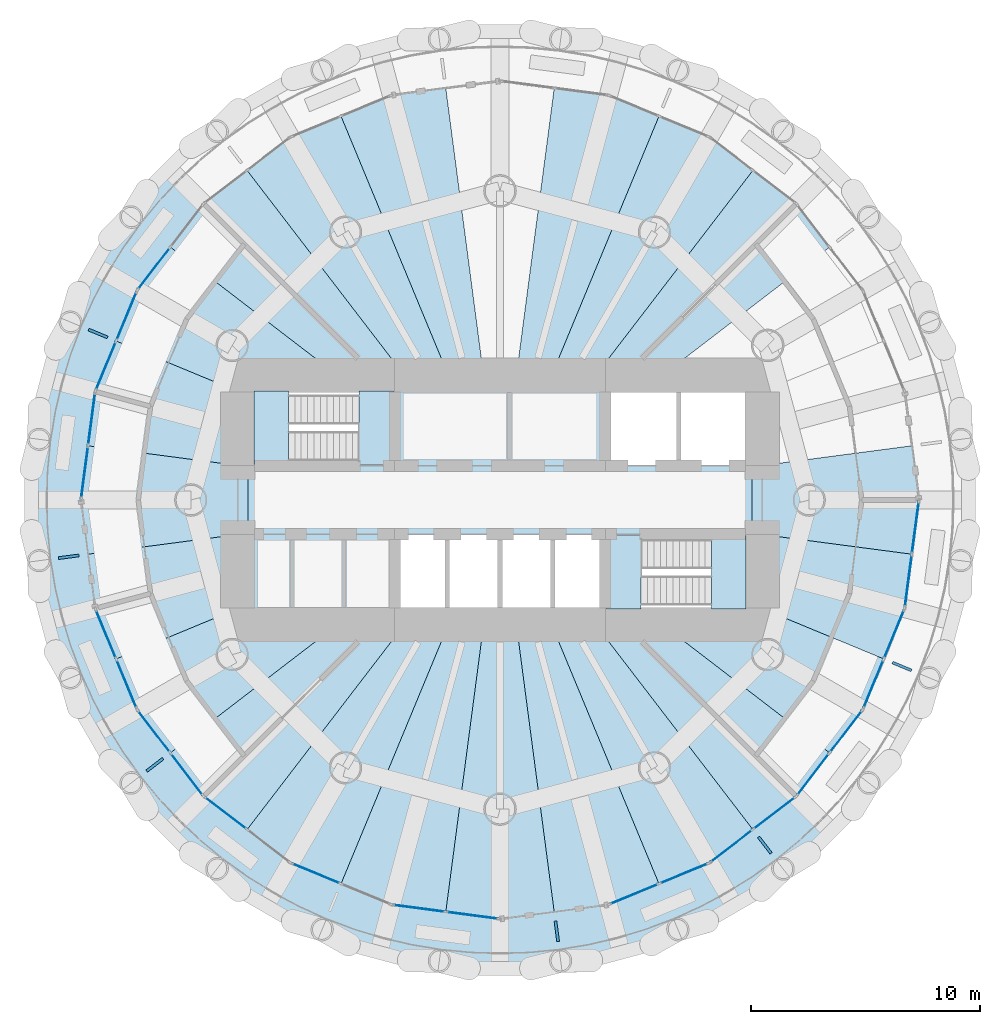
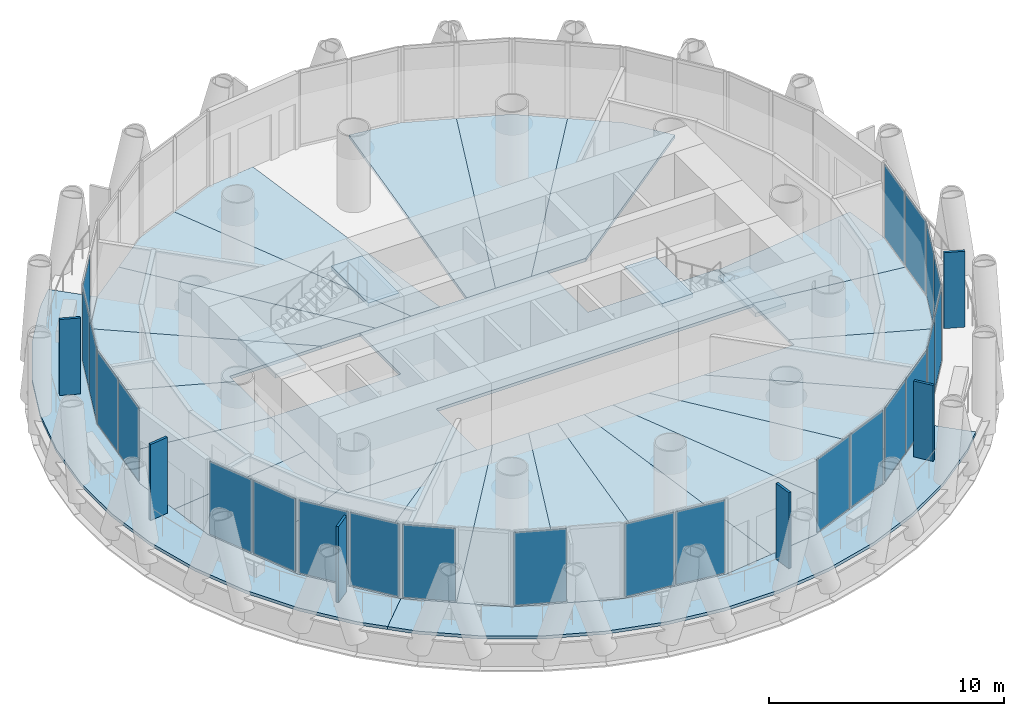
# One storey, part 7 of 13: 29 plates, 28 slabs, 15 elements without a shape of their own.
"""IFC4 building model written with IfcOpenShell, lengths in metres."""

from ifc_helpers import new_model, si_unit, direction, frame, origin, origin_2d, place, context, subcontext, project, spatial, polyline, rectangle, outline, extrude, material, layer, layer_set, type_object, element, aggregate, save


model = new_model("IFC4")

# Units and contexts
model_context = context("Model", 3, precision=1e-05, world=origin(), true_north=direction((0.0, 1.0)))
body_context = subcontext(model_context, "Body", "Model", "MODEL_VIEW")
ifc_project = project(units=[si_unit("LENGTHUNIT", "METRE"), si_unit("AREAUNIT", "SQUARE_METRE"), si_unit("VOLUMEUNIT", "CUBIC_METRE"), si_unit("PLANEANGLEUNIT", "RADIAN"), si_unit("MASSUNIT", "GRAM", prefix="KILO")], contexts=[model_context])

# Site, building, storey
site_placement = place(None, origin())
site = spatial("IfcSite", under=ifc_project, at=site_placement, CompositionType="ELEMENT")
building_placement = place(site_placement, origin())
building = spatial("IfcBuilding", under=site, at=building_placement, Name="Qaws Media Tower", CompositionType="ELEMENT")
storey_placement = place(building_placement, frame((0.0, 0.0, 282.199951171875)))
storey = spatial("IfcBuildingStorey", under=building, at=storey_placement, Name="L65", CompositionType="ELEMENT", Elevation=282.199951171875)

# Slabs
ifc_material_1 = material(Name="Concrete C35/45", Category="concrete")
ifc_layer_1 = layer(ifc_material_1, 0.159912109375)
ifc_layer_set_1 = layer_set([ifc_layer_1], Name="Composite balcony slab 160")
slab_type_1 = type_object("IfcSlabType", Name="Composite balcony slab 160", PredefinedType="FLOOR", material=ifc_layer_set_1)
slab_1_placement = place(storey_placement, frame((0.0, 0.0, -0.159912109375)))
element("IfcSlab", 1, at=slab_1_placement, inside=storey, type_object=slab_type_1, Name="S2 balcony slab L65 R10 to R16, movement joints on R10 and R16", PredefinedType="FLOOR", context=body_context, shape_type="SweptSolid", body=[
    extrude(outline(polyline([(44.58740234375, 36.4833984375), (42.954833984375, 38.61083984375), (41.614013671875, 40.93310546875), (40.587890625, 43.410400390625), (39.893798828125, 46.00048828125), (39.5439453125, 48.6591796875), (39.5439453125, 51.3408203125), (39.893798828125, 53.99951171875), (40.587890625, 56.589599609375), (41.614013671875, 59.06689453125), (42.954833984375, 61.38916015625), (44.58740234375, 63.5166015625), (45.535400390625, 64.464599609375), (47.059814453125, 62.940185546875), (44.151611328125, 59.14990234375), (42.323486328125, 54.736328125), (41.699951171875, 50.0), (42.323486328125, 45.263671875), (44.151611328125, 40.85009765625), (47.059814453125, 37.059814453125), (45.535400390625, 35.535400390625), (44.58740234375, 36.4833984375)])), origin(), (0.0, 0.0, 1.0), 0.159912109375),
])
slab_2_placement = place(storey_placement, frame((0.0, 0.0, -0.159912109375)))
element("IfcSlab", 2, at=slab_2_placement, inside=storey, type_object=slab_type_1, Name="S2 balcony slab L65 R16 to R22, movement joints on R16 and R22", PredefinedType="FLOOR", context=body_context, shape_type="SweptSolid", body=[
    extrude(outline(polyline([(73.5166015625, 34.58740234375), (71.38916015625, 32.954833984375), (69.06689453125, 31.614013671875), (66.589599609375, 30.587890625), (63.99951171875, 29.893798828125), (61.3408203125, 29.5439453125), (58.6591796875, 29.5439453125), (56.00048828125, 29.893798828125), (53.410400390625, 30.587890625), (50.93310546875, 31.614013671875), (48.61083984375, 32.954833984375), (46.4833984375, 34.58740234375), (45.535400390625, 35.535400390625), (47.059814453125, 37.059814453125), (50.85009765625, 34.151611328125), (55.263671875, 32.323486328125), (60.0, 31.699951171875), (64.736328125, 32.323486328125), (69.14990234375, 34.151611328125), (72.940185546875, 37.059814453125), (74.464599609375, 35.535400390625), (73.5166015625, 34.58740234375)])), origin(), (0.0, 0.0, 1.0), 0.159912109375),
])
ifc_material_2 = material(Name="Concrete C35/45", Category="concrete")
ifc_layer_2 = layer(ifc_material_2, 0.159912109375)
ifc_layer_set_2 = layer_set([ifc_layer_2], Name="Composite floor slab 160")
slab_type_2 = type_object("IfcSlabType", Name="Composite floor slab 160", PredefinedType="FLOOR", material=ifc_layer_set_2)
slab_3_placement = place(storey_placement, frame((0.0, 0.0, -0.159912109375)))
element("IfcSlab", 3, at=slab_3_placement, inside=storey, type_object=slab_type_2, Name="S1 core floor slab L65", PredefinedType="FLOOR", context=body_context, shape_type="SweptSolid", body=[
    extrude(outline(polyline([(71.0, 51.5), (71.0, 48.5), (55.39990234375, 48.5), (55.39990234375, 45.0), (49.0, 45.0), (49.0, 51.5), (55.39990234375, 51.5), (55.39990234375, 55.0), (64.60009765625, 55.0), (64.60009765625, 51.5), (71.0, 51.5)])), origin(), (0.0, 0.0, 1.0), 0.159912109375),
])
slab_4_placement = place(storey_placement, frame((0.0, 0.0, -0.159912109375)))
element("IfcSlab", 4, at=slab_4_placement, inside=storey, type_object=slab_type_2, Name="S1 floor panel L65 on R01", PredefinedType="FLOOR", context=body_context, shape_type="SweptSolid", body=[
    extrude(outline(polyline([(78.300048828125, 50.0), (77.98828125, 47.6318359375), (71.0, 48.5517578125), (71.0, 51.4482421875), (77.98828125, 52.3681640625), (78.300048828125, 50.0)])), origin(), (0.0, 0.0, 1.0), 0.159912109375),
])
slab_5_placement = place(storey_placement, frame((0.0, 0.0, -0.159912109375)))
element("IfcSlab", 5, at=slab_5_placement, inside=storey, type_object=slab_type_2, Name="S1 floor panel L65 on R04", PredefinedType="FLOOR", context=body_context, shape_type="SweptSolid", body=[
    extrude(outline(polyline([(72.940185546875, 62.940185546875), (74.394287109375, 61.044921875), (66.51611328125, 55.0), (63.836669921875, 55.0), (71.044921875, 64.394287109375), (72.940185546875, 62.940185546875)])), origin(), (0.0, 0.0, 1.0), 0.159912109375),
])
slab_6_placement = place(storey_placement, frame((0.0, 0.0, -0.159912109375)))
element("IfcSlab", 6, at=slab_6_placement, inside=storey, type_object=slab_type_2, Name="S1 floor panel L65 on R05", PredefinedType="FLOOR", context=body_context, shape_type="SweptSolid", body=[
    extrude(outline(polyline([(69.14990234375, 65.848388671875), (71.044921875, 64.394287109375), (63.836669921875, 55.0), (62.071044921875, 55.0), (66.943115234375, 66.762451171875), (69.14990234375, 65.848388671875)])), origin(), (0.0, 0.0, 1.0), 0.159912109375),
])
slab_7_placement = place(storey_placement, frame((0.0, 0.0, -0.159912109375)))
element("IfcSlab", 7, at=slab_7_placement, inside=storey, type_object=slab_type_2, Name="S1 floor panel L65 on R06", PredefinedType="FLOOR", context=body_context, shape_type="SweptSolid", body=[
    extrude(outline(polyline([(64.736328125, 67.676513671875), (66.943115234375, 66.762451171875), (62.071044921875, 55.0), (60.658203125, 55.0), (62.3681640625, 67.98828125), (64.736328125, 67.676513671875)])), origin(), (0.0, 0.0, 1.0), 0.159912109375),
])
slab_8_placement = place(storey_placement, frame((0.0, 0.0, -0.159912109375)))
element("IfcSlab", 8, at=slab_8_placement, inside=storey, type_object=slab_type_2, Name="S1 floor panel L65 on R08", PredefinedType="FLOOR", context=body_context, shape_type="SweptSolid", body=[
    extrude(outline(polyline([(55.263671875, 67.676513671875), (57.6318359375, 67.98828125), (59.341796875, 55.0), (57.928955078125, 55.0), (53.056884765625, 66.762451171875), (55.263671875, 67.676513671875)])), origin(), (0.0, 0.0, 1.0), 0.159912109375),
])
slab_9_placement = place(storey_placement, frame((0.0, 0.0, -0.159912109375)))
element("IfcSlab", 9, at=slab_9_placement, inside=storey, type_object=slab_type_2, Name="S1 floor panel L65 on R09", PredefinedType="FLOOR", context=body_context, shape_type="SweptSolid", body=[
    extrude(outline(polyline([(50.85009765625, 65.848388671875), (53.056884765625, 66.762451171875), (57.928955078125, 55.0), (56.163330078125, 55.0), (48.955078125, 64.394287109375), (50.85009765625, 65.848388671875)])), origin(), (0.0, 0.0, 1.0), 0.159912109375),
])
slab_10_placement = place(storey_placement, frame((0.0, 0.0, -0.159912109375)))
element("IfcSlab", 10, at=slab_10_placement, inside=storey, type_object=slab_type_2, Name="S1 floor panel L65 on R10", PredefinedType="FLOOR", context=body_context, shape_type="SweptSolid", body=[
    extrude(outline(polyline([(47.059814453125, 62.940185546875), (48.955078125, 64.394287109375), (56.163330078125, 55.0), (53.48388671875, 55.0), (45.605712890625, 61.044921875), (47.059814453125, 62.940185546875)])), origin(), (0.0, 0.0, 1.0), 0.159912109375),
])
slab_11_placement = place(storey_placement, frame((0.0, 0.0, -0.159912109375)))
element("IfcSlab", 11, at=slab_11_placement, inside=storey, type_object=slab_type_2, Name="S1 floor panel L65 on R11", PredefinedType="FLOOR", context=body_context, shape_type="SweptSolid", body=[
    extrude(outline(polyline([(44.151611328125, 59.14990234375), (45.605712890625, 61.044921875), (53.48388671875, 55.0), (49.0, 55.0), (49.0, 54.556396484375), (43.237548828125, 56.943115234375), (44.151611328125, 59.14990234375)])), origin(), (0.0, 0.0, 1.0), 0.159912109375),
])
slab_12_placement = place(storey_placement, frame((0.0, 0.0, -0.159912109375)))
element("IfcSlab", 12, at=slab_12_placement, inside=storey, type_object=slab_type_2, Name="S1 floor panel L65 on R12", PredefinedType="FLOOR", context=body_context, shape_type="SweptSolid", body=[
    extrude(outline(polyline([(42.323486328125, 54.736328125), (43.237548828125, 56.943115234375), (49.0, 54.556396484375), (49.0, 51.4482421875), (42.01171875, 52.3681640625), (42.323486328125, 54.736328125)])), origin(), (0.0, 0.0, 1.0), 0.159912109375),
])
slab_13_placement = place(storey_placement, frame((0.0, 0.0, -0.159912109375)))
element("IfcSlab", 13, at=slab_13_placement, inside=storey, type_object=slab_type_2, Name="S1 floor panel L65 on R13", PredefinedType="FLOOR", context=body_context, shape_type="SweptSolid", body=[
    extrude(outline(polyline([(41.699951171875, 50.0), (42.01171875, 52.3681640625), (49.0, 51.4482421875), (49.0, 48.5517578125), (42.01171875, 47.6318359375), (41.699951171875, 50.0)])), origin(), (0.0, 0.0, 1.0), 0.159912109375),
])
slab_14_placement = place(storey_placement, frame((0.0, 0.0, -0.159912109375)))
element("IfcSlab", 14, at=slab_14_placement, inside=storey, type_object=slab_type_2, Name="S1 floor panel L65 on R14", PredefinedType="FLOOR", context=body_context, shape_type="SweptSolid", body=[
    extrude(outline(polyline([(42.323486328125, 45.263671875), (42.01171875, 47.6318359375), (49.0, 48.5517578125), (49.0, 45.443603515625), (43.237548828125, 43.056884765625), (42.323486328125, 45.263671875)])), origin(), (0.0, 0.0, 1.0), 0.159912109375),
])
slab_15_placement = place(storey_placement, frame((0.0, 0.0, -0.159912109375)))
element("IfcSlab", 15, at=slab_15_placement, inside=storey, type_object=slab_type_2, Name="S1 floor panel L65 on R15", PredefinedType="FLOOR", context=body_context, shape_type="SweptSolid", body=[
    extrude(outline(polyline([(44.151611328125, 40.85009765625), (43.237548828125, 43.056884765625), (49.0, 45.443603515625), (49.0, 45.0), (53.48388671875, 45.0), (45.605712890625, 38.955078125), (44.151611328125, 40.85009765625)])), origin(), (0.0, 0.0, 1.0), 0.159912109375),
])
slab_16_placement = place(storey_placement, frame((0.0, 0.0, -0.159912109375)))
element("IfcSlab", 16, at=slab_16_placement, inside=storey, type_object=slab_type_2, Name="S1 floor panel L65 on R16", PredefinedType="FLOOR", context=body_context, shape_type="SweptSolid", body=[
    extrude(outline(polyline([(47.059814453125, 37.059814453125), (45.605712890625, 38.955078125), (53.48388671875, 45.0), (56.163330078125, 45.0), (48.955078125, 35.605712890625), (47.059814453125, 37.059814453125)])), origin(), (0.0, 0.0, 1.0), 0.159912109375),
])
slab_17_placement = place(storey_placement, frame((0.0, 0.0, -0.159912109375)))
element("IfcSlab", 17, at=slab_17_placement, inside=storey, type_object=slab_type_2, Name="S1 floor panel L65 on R17", PredefinedType="FLOOR", context=body_context, shape_type="SweptSolid", body=[
    extrude(outline(polyline([(50.85009765625, 34.151611328125), (48.955078125, 35.605712890625), (56.163330078125, 45.0), (57.928955078125, 45.0), (53.056884765625, 33.237548828125), (50.85009765625, 34.151611328125)])), origin(), (0.0, 0.0, 1.0), 0.159912109375),
])
slab_18_placement = place(storey_placement, frame((0.0, 0.0, -0.159912109375)))
element("IfcSlab", 18, at=slab_18_placement, inside=storey, type_object=slab_type_2, Name="S1 floor panel L65 on R18", PredefinedType="FLOOR", context=body_context, shape_type="SweptSolid", body=[
    extrude(outline(polyline([(55.263671875, 32.323486328125), (53.056884765625, 33.237548828125), (57.928955078125, 45.0), (59.341796875, 45.0), (57.6318359375, 32.01171875), (55.263671875, 32.323486328125)])), origin(), (0.0, 0.0, 1.0), 0.159912109375),
])
slab_19_placement = place(storey_placement, frame((0.0, 0.0, -0.159912109375)))
element("IfcSlab", 19, at=slab_19_placement, inside=storey, type_object=slab_type_2, Name="S1 floor panel L65 on R19", PredefinedType="FLOOR", context=body_context, shape_type="SweptSolid", body=[
    extrude(outline(polyline([(60.0, 31.699951171875), (57.6318359375, 32.01171875), (59.341796875, 45.0), (60.658203125, 45.0), (62.3681640625, 32.01171875), (60.0, 31.699951171875)])), origin(), (0.0, 0.0, 1.0), 0.159912109375),
])
slab_20_placement = place(storey_placement, frame((0.0, 0.0, -0.159912109375)))
element("IfcSlab", 20, at=slab_20_placement, inside=storey, type_object=slab_type_2, Name="S1 floor panel L65 on R20", PredefinedType="FLOOR", context=body_context, shape_type="SweptSolid", body=[
    extrude(outline(polyline([(64.736328125, 32.323486328125), (62.3681640625, 32.01171875), (60.658203125, 45.0), (62.071044921875, 45.0), (66.943115234375, 33.237548828125), (64.736328125, 32.323486328125)])), origin(), (0.0, 0.0, 1.0), 0.159912109375),
])
slab_21_placement = place(storey_placement, frame((0.0, 0.0, -0.159912109375)))
element("IfcSlab", 21, at=slab_21_placement, inside=storey, type_object=slab_type_2, Name="S1 floor panel L65 on R21", PredefinedType="FLOOR", context=body_context, shape_type="SweptSolid", body=[
    extrude(outline(polyline([(69.14990234375, 34.151611328125), (66.943115234375, 33.237548828125), (62.071044921875, 45.0), (63.836669921875, 45.0), (71.044921875, 35.605712890625), (69.14990234375, 34.151611328125)])), origin(), (0.0, 0.0, 1.0), 0.159912109375),
])
slab_22_placement = place(storey_placement, frame((0.0, 0.0, -0.159912109375)))
element("IfcSlab", 22, at=slab_22_placement, inside=storey, type_object=slab_type_2, Name="S1 floor panel L65 on R22", PredefinedType="FLOOR", context=body_context, shape_type="SweptSolid", body=[
    extrude(outline(polyline([(72.940185546875, 37.059814453125), (71.044921875, 35.605712890625), (63.836669921875, 45.0), (66.51611328125, 45.0), (74.394287109375, 38.955078125), (72.940185546875, 37.059814453125)])), origin(), (0.0, 0.0, 1.0), 0.159912109375),
])
slab_23_placement = place(storey_placement, frame((0.0, 0.0, -0.159912109375)))
element("IfcSlab", 23, at=slab_23_placement, inside=storey, type_object=slab_type_2, Name="S1 floor panel L65 on R23", PredefinedType="FLOOR", context=body_context, shape_type="SweptSolid", body=[
    extrude(outline(polyline([(75.848388671875, 40.85009765625), (74.394287109375, 38.955078125), (66.51611328125, 45.0), (71.0, 45.0), (71.0, 45.443603515625), (76.762451171875, 43.056884765625), (75.848388671875, 40.85009765625)])), origin(), (0.0, 0.0, 1.0), 0.159912109375),
])
slab_24_placement = place(storey_placement, frame((0.0, 0.0, -0.159912109375)))
element("IfcSlab", 24, at=slab_24_placement, inside=storey, type_object=slab_type_2, Name="S1 floor panel L65 on R24", PredefinedType="FLOOR", context=body_context, shape_type="SweptSolid", body=[
    extrude(outline(polyline([(76.762451171875, 43.056884765625), (71.0, 45.443603515625), (71.0, 48.5517578125), (77.98828125, 47.6318359375), (77.676513671875, 45.263671875), (76.762451171875, 43.056884765625)])), origin(), (0.0, 0.0, 1.0), 0.159912109375),
])

# Curtain wall, plate
ifc_material_3 = material(Name="Aluminium and clear glass", Category="aluminium")
curtain_wall_type = type_object("IfcCurtainWallType", Name="Unitised curtain wall CW-D", PredefinedType="NOTDEFINED", material=ifc_material_3)
curtain_wall_1_placement = place(storey_placement, origin())
curtain_wall_1 = element("IfcCurtainWall", 25, at=curtain_wall_1_placement, inside=storey, type_object=curtain_wall_type, Name="CWD curtain wall L65-10", PredefinedType="NOTDEFINED")
ifc_material_4 = material(Name="Clear laminated double glazing", Category="glass")
ifc_layer_3 = layer(ifc_material_4, 0.031982421875)
ifc_layer_set_3 = layer_set([ifc_layer_3], Name="Curtain wall glass unit 32")
plate_type_1 = type_object("IfcPlateType", Name="Curtain wall glass unit 32", PredefinedType="CURTAIN_PANEL", material=ifc_layer_set_3)
plate_1_placement = place(storey_placement, frame((44.890869140625, 60.11328125, 0.080078125), z_axis=(0.0, 0.0, 1.0), x_axis=(-0.608761465882, -0.793353311997, 0.0)))
plate_1 = element("IfcPlate", 26, at=plate_1_placement, type_object=plate_type_1, Name="CWD panel 2.1", PredefinedType="CURTAIN_PANEL", context=body_context, shape_type="SweptSolid", body=[
    extrude(rectangle(XDim=2.2685546875, YDim=0.031982421875, at=origin_2d()), origin(), (0.0, 0.0, 1.0), 3.7900390625),
])
aggregate(curtain_wall_1, [plate_1])

# Curtain wall, plates
curtain_wall_2_placement = place(storey_placement, origin())
curtain_wall_2 = element("IfcCurtainWall", 27, at=curtain_wall_2_placement, inside=storey, type_object=curtain_wall_type, Name="CWD curtain wall L65-11", PredefinedType="NOTDEFINED")
plate_2_placement = place(storey_placement, frame((43.68701171875, 58.028076171875, 0.080078125), z_axis=(0.0, 0.0, 1.0), x_axis=(-0.382683515407, -0.923879498114, 0.0)))
plate_2 = element("IfcPlate", 28, at=plate_2_placement, type_object=plate_type_1, Name="CWD panel 1.1", PredefinedType="CURTAIN_PANEL", context=body_context, shape_type="SweptSolid", body=[
    extrude(rectangle(XDim=2.2685546875, YDim=0.031982421875, at=origin_2d()), origin(), (0.0, 0.0, 1.0), 3.7900390625),
])
plate_3_placement = place(storey_placement, frame((42.788330078125, 55.858154296875, 0.080078125), z_axis=(0.0, 0.0, 1.0), x_axis=(-0.382683515407, -0.923879498114, 0.0)))
plate_3 = element("IfcPlate", 29, at=plate_3_placement, type_object=plate_type_1, Name="CWD panel 2.1", PredefinedType="CURTAIN_PANEL", context=body_context, shape_type="SweptSolid", body=[
    extrude(rectangle(XDim=2.2685546875, YDim=0.031982421875, at=origin_2d()), origin(), (0.0, 0.0, 1.0), 3.7900390625),
])
aggregate(curtain_wall_2, [plate_2, plate_3])

curtain_wall_3_placement = place(storey_placement, origin())
curtain_wall_3 = element("IfcCurtainWall", 30, at=curtain_wall_3_placement, inside=storey, type_object=curtain_wall_type, Name="CWD curtain wall L65-12", PredefinedType="NOTDEFINED")
plate_4_placement = place(storey_placement, frame((42.1650390625, 53.532470703125, 0.080078125), z_axis=(0.0, 0.0, 1.0), x_axis=(-0.130526101391, -0.991444873332, 0.0)))
plate_4 = element("IfcPlate", 31, at=plate_4_placement, type_object=plate_type_1, Name="CWD panel 1.1", PredefinedType="CURTAIN_PANEL", context=body_context, shape_type="SweptSolid", body=[
    extrude(rectangle(XDim=2.2685546875, YDim=0.031982421875, at=origin_2d()), origin(), (0.0, 0.0, 1.0), 3.7900390625),
])
plate_5_placement = place(storey_placement, frame((41.8583984375, 51.203857421875, 0.080078125), z_axis=(0.0, 0.0, 1.0), x_axis=(-0.130526101391, -0.991444873332, 0.0)))
plate_5 = element("IfcPlate", 32, at=plate_5_placement, type_object=plate_type_1, Name="CWD panel 2.1", PredefinedType="CURTAIN_PANEL", context=body_context, shape_type="SweptSolid", body=[
    extrude(rectangle(XDim=2.2685546875, YDim=0.031982421875, at=origin_2d()), origin(), (0.0, 0.0, 1.0), 3.7900390625),
])
aggregate(curtain_wall_3, [plate_4, plate_5])

curtain_wall_4_placement = place(storey_placement, origin())
curtain_wall_4 = element("IfcCurtainWall", 33, at=curtain_wall_4_placement, inside=storey, type_object=curtain_wall_type, Name="CWD curtain wall L65-14", PredefinedType="NOTDEFINED")
plate_6_placement = place(storey_placement, frame((42.788330078125, 44.141845703125, 0.080078125), z_axis=(0.0, 0.0, 1.0), x_axis=(0.382683515407, -0.923879498114, 0.0)))
plate_6 = element("IfcPlate", 34, at=plate_6_placement, type_object=plate_type_1, Name="CWD panel 1.1", PredefinedType="CURTAIN_PANEL", context=body_context, shape_type="SweptSolid", body=[
    extrude(rectangle(XDim=2.2685546875, YDim=0.031982421875, at=origin_2d()), origin(), (0.0, 0.0, 1.0), 3.7900390625),
])
plate_7_placement = place(storey_placement, frame((43.68701171875, 41.971923828125, 0.080078125), z_axis=(0.0, 0.0, 1.0), x_axis=(0.382683515407, -0.923879498114, 0.0)))
plate_7 = element("IfcPlate", 35, at=plate_7_placement, type_object=plate_type_1, Name="CWD panel 2.1", PredefinedType="CURTAIN_PANEL", context=body_context, shape_type="SweptSolid", body=[
    extrude(rectangle(XDim=2.2685546875, YDim=0.031982421875, at=origin_2d()), origin(), (0.0, 0.0, 1.0), 3.7900390625),
])
aggregate(curtain_wall_4, [plate_6, plate_7])

curtain_wall_5_placement = place(storey_placement, origin())
curtain_wall_5 = element("IfcCurtainWall", 36, at=curtain_wall_5_placement, inside=storey, type_object=curtain_wall_type, Name="CWD curtain wall L65-15", PredefinedType="NOTDEFINED")
plate_8_placement = place(storey_placement, frame((44.890869140625, 39.88671875, 0.080078125), z_axis=(0.0, 0.0, 1.0), x_axis=(0.608761465882, -0.793353311997, 0.0)))
plate_8 = element("IfcPlate", 37, at=plate_8_placement, type_object=plate_type_1, Name="CWD panel 1.1", PredefinedType="CURTAIN_PANEL", context=body_context, shape_type="SweptSolid", body=[
    extrude(rectangle(XDim=2.2685546875, YDim=0.031982421875, at=origin_2d()), origin(), (0.0, 0.0, 1.0), 3.7900390625),
])
plate_9_placement = place(storey_placement, frame((46.32080078125, 38.0234375, 0.080078125), z_axis=(0.0, 0.0, 1.0), x_axis=(0.608761465882, -0.793353311997, 0.0)))
plate_9 = element("IfcPlate", 38, at=plate_9_placement, type_object=plate_type_1, Name="CWD panel 2.1", PredefinedType="CURTAIN_PANEL", context=body_context, shape_type="SweptSolid", body=[
    extrude(rectangle(XDim=2.2685546875, YDim=0.031982421875, at=origin_2d()), origin(), (0.0, 0.0, 1.0), 3.7900390625),
])
aggregate(curtain_wall_5, [plate_8, plate_9])

# Curtain wall, plate
curtain_wall_6_placement = place(storey_placement, origin())
curtain_wall_6 = element("IfcCurtainWall", 39, at=curtain_wall_6_placement, inside=storey, type_object=curtain_wall_type, Name="CWD curtain wall L65-16", PredefinedType="NOTDEFINED")
plate_10_placement = place(storey_placement, frame((48.0234375, 36.32080078125, 0.080078125), z_axis=(0.0, 0.0, 1.0), x_axis=(0.793353311997, -0.608761465882, 0.0)))
plate_10 = element("IfcPlate", 40, at=plate_10_placement, type_object=plate_type_1, Name="CWD panel 1.1", PredefinedType="CURTAIN_PANEL", context=body_context, shape_type="SweptSolid", body=[
    extrude(rectangle(XDim=2.2685546875, YDim=0.031982421875, at=origin_2d()), origin(), (0.0, 0.0, 1.0), 3.7900390625),
])
aggregate(curtain_wall_6, [plate_10])

curtain_wall_7_placement = place(storey_placement, origin())
curtain_wall_7 = element("IfcCurtainWall", 41, at=curtain_wall_7_placement, inside=storey, type_object=curtain_wall_type, Name="CWD curtain wall L65-17", PredefinedType="NOTDEFINED")
plate_11_placement = place(storey_placement, frame((51.971923828125, 33.68701171875, 0.080078125), z_axis=(0.0, 0.0, 1.0), x_axis=(0.923879498114, -0.382683515407, 0.0)))
plate_11 = element("IfcPlate", 42, at=plate_11_placement, type_object=plate_type_1, Name="CWD panel 1.1", PredefinedType="CURTAIN_PANEL", context=body_context, shape_type="SweptSolid", body=[
    extrude(rectangle(XDim=2.2685546875, YDim=0.031982421875, at=origin_2d()), origin(), (0.0, 0.0, 1.0), 3.7900390625),
])
aggregate(curtain_wall_7, [plate_11])

# Curtain wall, plates
curtain_wall_8_placement = place(storey_placement, origin())
curtain_wall_8 = element("IfcCurtainWall", 43, at=curtain_wall_8_placement, inside=storey, type_object=curtain_wall_type, Name="CWD curtain wall L65-18", PredefinedType="NOTDEFINED")
plate_12_placement = place(storey_placement, frame((56.467529296875, 32.1650390625, 0.080078125), z_axis=(0.0, 0.0, 1.0), x_axis=(0.991444873332, -0.130526101391, 0.0)))
plate_12 = element("IfcPlate", 44, at=plate_12_placement, type_object=plate_type_1, Name="CWD panel 1.1", PredefinedType="CURTAIN_PANEL", context=body_context, shape_type="SweptSolid", body=[
    extrude(rectangle(XDim=2.2685546875, YDim=0.031982421875, at=origin_2d()), origin(), (0.0, 0.0, 1.0), 3.7900390625),
])
plate_13_placement = place(storey_placement, frame((58.796142578125, 31.8583984375, 0.080078125), z_axis=(0.0, 0.0, 1.0), x_axis=(0.991444873332, -0.130526101391, 0.0)))
plate_13 = element("IfcPlate", 45, at=plate_13_placement, type_object=plate_type_1, Name="CWD panel 2.1", PredefinedType="CURTAIN_PANEL", context=body_context, shape_type="SweptSolid", body=[
    extrude(rectangle(XDim=2.2685546875, YDim=0.031982421875, at=origin_2d()), origin(), (0.0, 0.0, 1.0), 3.7900390625),
])
aggregate(curtain_wall_8, [plate_12, plate_13])

curtain_wall_9_placement = place(storey_placement, origin())
curtain_wall_9 = element("IfcCurtainWall", 46, at=curtain_wall_9_placement, inside=storey, type_object=curtain_wall_type, Name="CWD curtain wall L65-20", PredefinedType="NOTDEFINED")
plate_14_placement = place(storey_placement, frame((65.858154296875, 32.788330078125, 0.080078125), z_axis=(0.0, 0.0, 1.0), x_axis=(0.923879498114, 0.382683515407, 0.0)))
plate_14 = element("IfcPlate", 47, at=plate_14_placement, type_object=plate_type_1, Name="CWD panel 1.1", PredefinedType="CURTAIN_PANEL", context=body_context, shape_type="SweptSolid", body=[
    extrude(rectangle(XDim=2.2685546875, YDim=0.031982421875, at=origin_2d()), origin(), (0.0, 0.0, 1.0), 3.7900390625),
])
plate_15_placement = place(storey_placement, frame((68.028076171875, 33.68701171875, 0.080078125), z_axis=(0.0, 0.0, 1.0), x_axis=(0.923879498114, 0.382683515407, 0.0)))
plate_15 = element("IfcPlate", 48, at=plate_15_placement, type_object=plate_type_1, Name="CWD panel 2.1", PredefinedType="CURTAIN_PANEL", context=body_context, shape_type="SweptSolid", body=[
    extrude(rectangle(XDim=2.2685546875, YDim=0.031982421875, at=origin_2d()), origin(), (0.0, 0.0, 1.0), 3.7900390625),
])
aggregate(curtain_wall_9, [plate_14, plate_15])

curtain_wall_10_placement = place(storey_placement, origin())
curtain_wall_10 = element("IfcCurtainWall", 49, at=curtain_wall_10_placement, inside=storey, type_object=curtain_wall_type, Name="CWD curtain wall L65-21", PredefinedType="NOTDEFINED")
plate_16_placement = place(storey_placement, frame((70.11328125, 34.890869140625, 0.080078125), z_axis=(0.0, 0.0, 1.0), x_axis=(0.793353311997, 0.608761465882, 0.0)))
plate_16 = element("IfcPlate", 50, at=plate_16_placement, type_object=plate_type_1, Name="CWD panel 1.1", PredefinedType="CURTAIN_PANEL", context=body_context, shape_type="SweptSolid", body=[
    extrude(rectangle(XDim=2.2685546875, YDim=0.031982421875, at=origin_2d()), origin(), (0.0, 0.0, 1.0), 3.7900390625),
])
plate_17_placement = place(storey_placement, frame((71.9765625, 36.32080078125, 0.080078125), z_axis=(0.0, 0.0, 1.0), x_axis=(0.793353311997, 0.608761465882, 0.0)))
plate_17 = element("IfcPlate", 51, at=plate_17_placement, type_object=plate_type_1, Name="CWD panel 2.1", PredefinedType="CURTAIN_PANEL", context=body_context, shape_type="SweptSolid", body=[
    extrude(rectangle(XDim=2.2685546875, YDim=0.031982421875, at=origin_2d()), origin(), (0.0, 0.0, 1.0), 3.7900390625),
])
aggregate(curtain_wall_10, [plate_16, plate_17])

curtain_wall_11_placement = place(storey_placement, origin())
curtain_wall_11 = element("IfcCurtainWall", 52, at=curtain_wall_11_placement, inside=storey, type_object=curtain_wall_type, Name="CWD curtain wall L65-22", PredefinedType="NOTDEFINED")
plate_18_placement = place(storey_placement, frame((73.67919921875, 38.0234375, 0.080078125), z_axis=(0.0, 0.0, 1.0), x_axis=(0.608761465882, 0.793353311997, 0.0)))
plate_18 = element("IfcPlate", 53, at=plate_18_placement, type_object=plate_type_1, Name="CWD panel 1.1", PredefinedType="CURTAIN_PANEL", context=body_context, shape_type="SweptSolid", body=[
    extrude(rectangle(XDim=2.2685546875, YDim=0.031982421875, at=origin_2d()), origin(), (0.0, 0.0, 1.0), 3.7900390625),
])
plate_19_placement = place(storey_placement, frame((75.109130859375, 39.88671875, 0.080078125), z_axis=(0.0, 0.0, 1.0), x_axis=(0.608761465882, 0.793353311997, 0.0)))
plate_19 = element("IfcPlate", 54, at=plate_19_placement, type_object=plate_type_1, Name="CWD panel 2.1", PredefinedType="CURTAIN_PANEL", context=body_context, shape_type="SweptSolid", body=[
    extrude(rectangle(XDim=2.2685546875, YDim=0.031982421875, at=origin_2d()), origin(), (0.0, 0.0, 1.0), 3.7900390625),
])
aggregate(curtain_wall_11, [plate_18, plate_19])

curtain_wall_12_placement = place(storey_placement, origin())
curtain_wall_12 = element("IfcCurtainWall", 55, at=curtain_wall_12_placement, inside=storey, type_object=curtain_wall_type, Name="CWD curtain wall L65-23", PredefinedType="NOTDEFINED")
plate_20_placement = place(storey_placement, frame((76.31298828125, 41.971923828125, 0.080078125), z_axis=(0.0, 0.0, 1.0), x_axis=(0.382683515407, 0.923879498114, 0.0)))
plate_20 = element("IfcPlate", 56, at=plate_20_placement, type_object=plate_type_1, Name="CWD panel 1.1", PredefinedType="CURTAIN_PANEL", context=body_context, shape_type="SweptSolid", body=[
    extrude(rectangle(XDim=2.2685546875, YDim=0.031982421875, at=origin_2d()), origin(), (0.0, 0.0, 1.0), 3.7900390625),
])
plate_21_placement = place(storey_placement, frame((77.211669921875, 44.141845703125, 0.080078125), z_axis=(0.0, 0.0, 1.0), x_axis=(0.382683515407, 0.923879498114, 0.0)))
plate_21 = element("IfcPlate", 57, at=plate_21_placement, type_object=plate_type_1, Name="CWD panel 2.1", PredefinedType="CURTAIN_PANEL", context=body_context, shape_type="SweptSolid", body=[
    extrude(rectangle(XDim=2.2685546875, YDim=0.031982421875, at=origin_2d()), origin(), (0.0, 0.0, 1.0), 3.7900390625),
])
aggregate(curtain_wall_12, [plate_20, plate_21])

curtain_wall_13_placement = place(storey_placement, origin())
curtain_wall_13 = element("IfcCurtainWall", 58, at=curtain_wall_13_placement, inside=storey, type_object=curtain_wall_type, Name="CWD curtain wall L65-24", PredefinedType="NOTDEFINED")
plate_22_placement = place(storey_placement, frame((77.8349609375, 46.467529296875, 0.080078125), z_axis=(0.0, 0.0, 1.0), x_axis=(0.130526101391, 0.991444873332, 0.0)))
plate_22 = element("IfcPlate", 59, at=plate_22_placement, type_object=plate_type_1, Name="CWD panel 1.1", PredefinedType="CURTAIN_PANEL", context=body_context, shape_type="SweptSolid", body=[
    extrude(rectangle(XDim=2.2685546875, YDim=0.031982421875, at=origin_2d()), origin(), (0.0, 0.0, 1.0), 3.7900390625),
])
plate_23_placement = place(storey_placement, frame((78.1416015625, 48.796142578125, 0.080078125), z_axis=(0.0, 0.0, 1.0), x_axis=(0.130526101391, 0.991444873332, 0.0)))
plate_23 = element("IfcPlate", 60, at=plate_23_placement, type_object=plate_type_1, Name="CWD panel 2.1", PredefinedType="CURTAIN_PANEL", context=body_context, shape_type="SweptSolid", body=[
    extrude(rectangle(XDim=2.2685546875, YDim=0.031982421875, at=origin_2d()), origin(), (0.0, 0.0, 1.0), 3.7900390625),
])
aggregate(curtain_wall_13, [plate_22, plate_23])

# Plates
ifc_material_5 = material(Name="Precast concrete screen fin", Category="concrete")
ifc_layer_4 = layer(ifc_material_5, 0.1201171875)
ifc_layer_set_4 = layer_set([ifc_layer_4], Name="Screen fin 120x900")
plate_type_2 = type_object("IfcPlateType", Name="Screen fin 120x900", PredefinedType="USERDEFINED", material=ifc_layer_set_4)
for number, where, z_axis, x_axis, name in (
    (61, (42.4462890625, 57.27099609375, 0.0), (0.0, 0.0, 1.0), (-0.923879532511, 0.382683432365, 0.0), "SCR1 screen fin L65-06"),
    (62, (41.16259765625, 47.52001953125, 0.0), (0.0, 0.0, 1.0), (-0.991444861374, -0.13052619222, 0.0), "SCR1 screen fin L65-07"),
    (63, (44.92626953125, 38.43359375, 0.0), (0.0, 0.0, 1.0), (-0.793353340291, -0.608761429009, 0.0), "SCR1 screen fin L65-08"),
    (64, (62.47998046875, 31.16259765625, 0.0), (0.0, 0.0, 1.0), (0.13052619222, -0.991444861374, 0.0), "SCR1 screen fin L65-10"),
    (65, (71.56640625, 34.92626953125, 0.0), (0.0, 0.0, 1.0), (0.608761429009, -0.793353340291, 0.0), "SCR1 screen fin L65-11"),
    (66, (77.5537109375, 42.72900390625, 0.0), (0.0, 0.0, 1.0), (0.923879532511, -0.382683432365, 0.0), "SCR1 screen fin L65-12"),
):
    element("IfcPlate", number, at=place(storey_placement, frame(where, z_axis=z_axis, x_axis=x_axis)), inside=storey, type_object=plate_type_2, Name=name, ObjectType="SCREEN", PredefinedType="USERDEFINED", context=body_context, shape_type="SweptSolid", body=[
        extrude(rectangle(XDim=0.89990234375, YDim=0.1201171875, at=origin_2d()), origin(), (0.0, 0.0, 1.0), 3.949951171875),
    ])

# Stair, slabs
ifc_material_6 = material(Name="Concrete C40/50", Category="concrete")
stair_type = type_object("IfcStairType", Name="Exit stair", PredefinedType="HALF_TURN_STAIR", material=ifc_material_6)
stair_1_placement = place(storey_placement, origin())
stair_1 = element("IfcStair", 67, at=stair_1_placement, inside=storey, type_object=stair_type, Name="S1 exit stair L65", PredefinedType="HALF_TURN_STAIR")
ifc_material_7 = material(Name="Concrete C40/50", Category="concrete")
ifc_layer_5 = layer(ifc_material_7, 0.199951171875)
ifc_layer_set_5 = layer_set([ifc_layer_5], Name="Stair landing 200")
slab_type_3 = type_object("IfcSlabType", Name="Stair landing 200", PredefinedType="LANDING", material=ifc_layer_set_5)
slab_25_placement = place(storey_placement, frame((0.0, 0.0, 1.900146484375)))
slab_25 = element("IfcSlab", 68, at=slab_25_placement, type_object=slab_type_3, Name="S1 landing 1", PredefinedType="LANDING", context=body_context, shape_type="SweptSolid", body=[
    extrude(outline(polyline([(49.25, 51.550048828125), (50.760009765625, 51.550048828125), (50.760009765625, 54.75), (49.25, 54.75), (49.25, 51.550048828125)])), origin(), (0.0, 0.0, 1.0), 0.199951171875),
])
slab_26_placement = place(storey_placement, frame((0.0, 0.0, 4.0)))
slab_26 = element("IfcSlab", 69, at=slab_26_placement, type_object=slab_type_3, Name="S1 landing 2", PredefinedType="LANDING", context=body_context, shape_type="SweptSolid", body=[
    extrude(outline(polyline([(53.840087890625, 51.550048828125), (55.35009765625, 51.550048828125), (55.35009765625, 54.75), (53.840087890625, 54.75), (53.840087890625, 51.550048828125)])), origin(), (0.0, 0.0, 1.0), 0.199951171875),
])
aggregate(stair_1, [slab_25, slab_26])

stair_2_placement = place(storey_placement, origin())
stair_2 = element("IfcStair", 70, at=stair_2_placement, inside=storey, type_object=stair_type, Name="S2 exit stair L65", PredefinedType="HALF_TURN_STAIR")
slab_27_placement = place(storey_placement, frame((0.0, 0.0, 1.900146484375)))
slab_27 = element("IfcSlab", 71, at=slab_27_placement, type_object=slab_type_3, Name="S2 landing 1", PredefinedType="LANDING", context=body_context, shape_type="SweptSolid", body=[
    extrude(outline(polyline([(69.239990234375, 45.25), (70.75, 45.25), (70.75, 48.449951171875), (69.239990234375, 48.449951171875), (69.239990234375, 45.25)])), origin(), (0.0, 0.0, 1.0), 0.199951171875),
])
slab_28_placement = place(storey_placement, frame((0.0, 0.0, 4.0)))
slab_28 = element("IfcSlab", 72, at=slab_28_placement, type_object=slab_type_3, Name="S2 landing 2", PredefinedType="LANDING", context=body_context, shape_type="SweptSolid", body=[
    extrude(outline(polyline([(64.64990234375, 45.25), (66.159912109375, 45.25), (66.159912109375, 48.449951171875), (64.64990234375, 48.449951171875), (64.64990234375, 45.25)])), origin(), (0.0, 0.0, 1.0), 0.199951171875),
])
aggregate(stair_2, [slab_27, slab_28])

save(model, "model.ifc")
